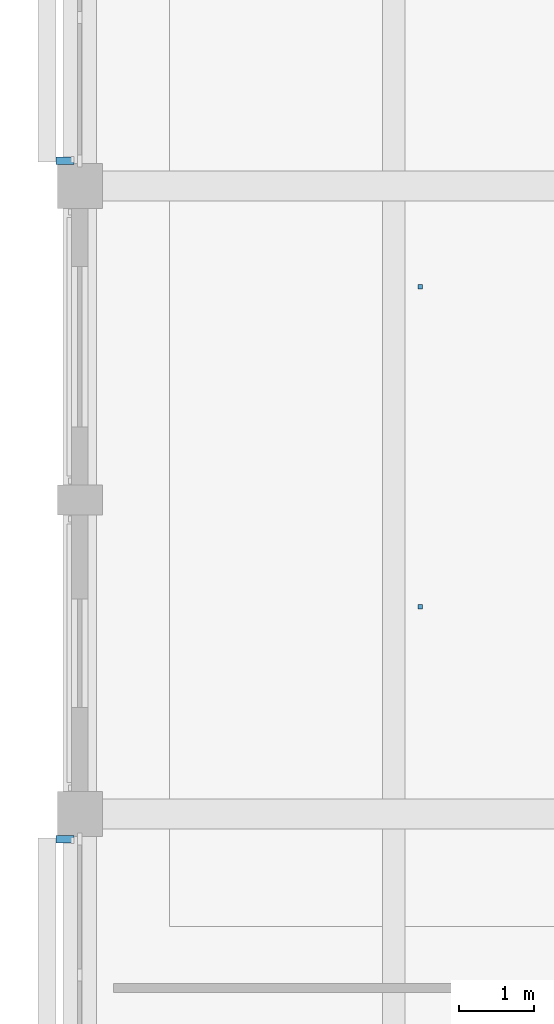
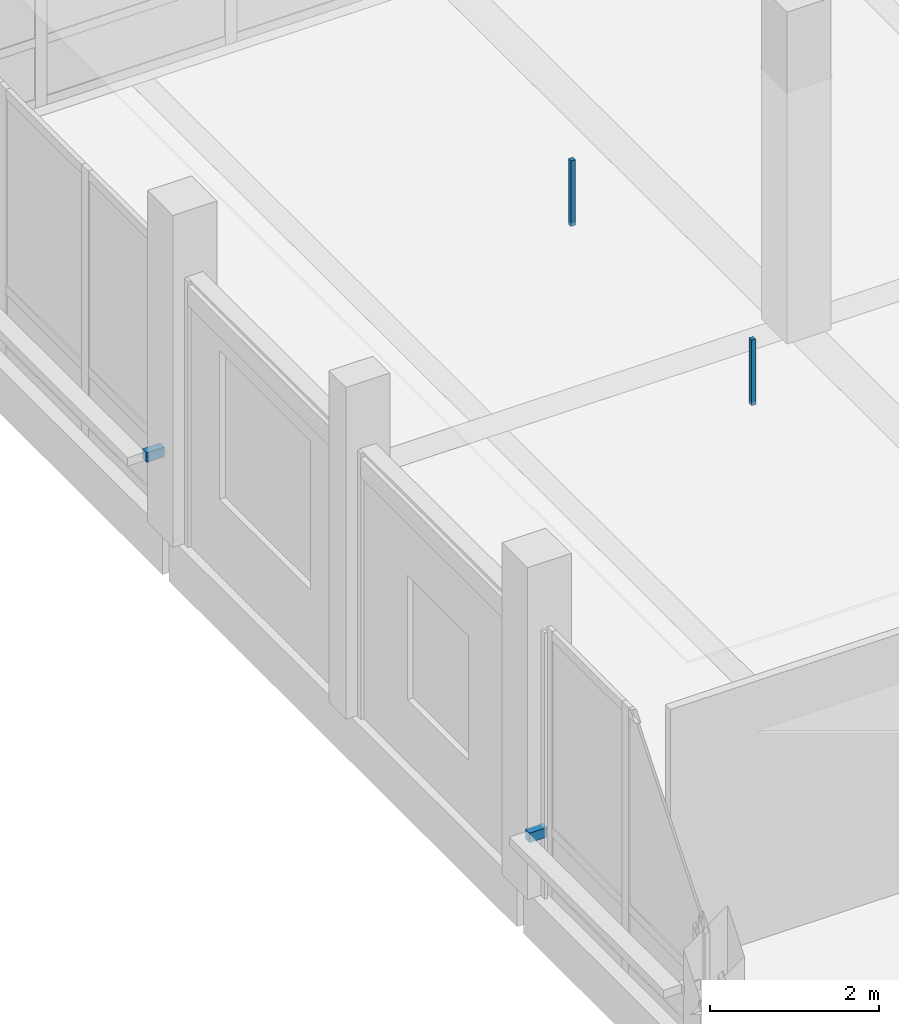
# One storey, part 70 of 122: 4 discrete accessories.
"""IFC4 building model written with IfcOpenShell, lengths in metres."""

from ifc_helpers import new_model, si_unit, direction, frame, origin, origin_2d, place, context, subcontext, project, spatial, rectangle, extrude, material, type_object, element, save


model = new_model("IFC4")

# Units and contexts
model_context = context("Model", 3, precision=1e-05, world=origin(), true_north=direction((0.0, 1.0)))
body_context = subcontext(model_context, "Body", "Model", "MODEL_VIEW")
ifc_project = project(units=[si_unit("LENGTHUNIT", "METRE"), si_unit("AREAUNIT", "SQUARE_METRE"), si_unit("VOLUMEUNIT", "CUBIC_METRE"), si_unit("PLANEANGLEUNIT", "RADIAN"), si_unit("MASSUNIT", "GRAM", prefix="KILO")], contexts=[model_context])

# Site, building, storey
site_placement = place(None, origin())
site = spatial("IfcSite", under=ifc_project, at=site_placement, CompositionType="ELEMENT")
building_placement = place(site_placement, origin())
building = spatial("IfcBuilding", under=site, at=building_placement, Name="Telukmera Botanical Conservatory", CompositionType="ELEMENT")
storey_placement = place(building_placement, frame((0.0, 0.0, 10.199951171875)))
storey = spatial("IfcBuildingStorey", under=building, at=storey_placement, Name="L02", CompositionType="ELEMENT", Elevation=10.199951171875)

# Discrete accessories
ifc_material = material(Name="Steel S355", Category="steel")
discrete_accessory_type_1 = type_object("IfcDiscreteAccessoryType", Name="ACC-CEIL-HGR", PredefinedType="BRACKET", material=ifc_material)
for number, where, z_axis, x_axis, name in (
    (1, (12.95068359375, 60.77490234375, 3.60986328125), (0.0, 0.0, 1.0), (1.0, 0.0, 0.0), "L02 Suspended Ceiling Hanger Rod 012-1"),
    (2, (12.95068359375, 65.050048828125, 3.60986328125), (0.0, 0.0, 1.0), (1.0, 0.0, 0.0), "L02 Suspended Ceiling Hanger Rod 012-2"),
):
    element("IfcDiscreteAccessory", number, at=place(storey_placement, frame(where, z_axis=z_axis, x_axis=x_axis)), inside=storey, type_object=discrete_accessory_type_1, Name=name, PredefinedType="BRACKET", context=body_context, shape_type="SweptSolid", body=[
        extrude(rectangle(XDim=0.06005859375, YDim=0.06005859375, at=origin_2d()), origin(), (0.0, 0.0, 1.0), 0.945068359375),
    ])
discrete_accessory_type_2 = type_object("IfcDiscreteAccessoryType", Name="Structural Steel Facade Outrigger Fin Bracket", PredefinedType="BRACKET", material=ifc_material)
for number, where, z_axis, x_axis, name in (
    (3, (8.199951171875, 57.66552734375, 0.8798828125), (0.0, 0.0, 1.0), (0.0, 1.0, 0.0), "Facade Outrigger Bracket V3:L02:W5B B"),
    (4, (8.199951171875, 66.734619140625, 0.8798828125), (0.0, 0.0, 1.0), (0.0, 1.0, 0.0), "Facade Outrigger Bracket V3:L02:W7 A"),
):
    element("IfcDiscreteAccessory", number, at=place(storey_placement, frame(where, z_axis=z_axis, x_axis=x_axis)), inside=storey, type_object=discrete_accessory_type_2, Name=name, PredefinedType="BRACKET", context=body_context, shape_type="SweptSolid", body=[
        extrude(rectangle(XDim=0.10009765625, YDim=0.239990234375, at=origin_2d()), origin(), (0.0, 0.0, 1.0), 0.139892578125),
    ])

save(model, "model.ifc")
